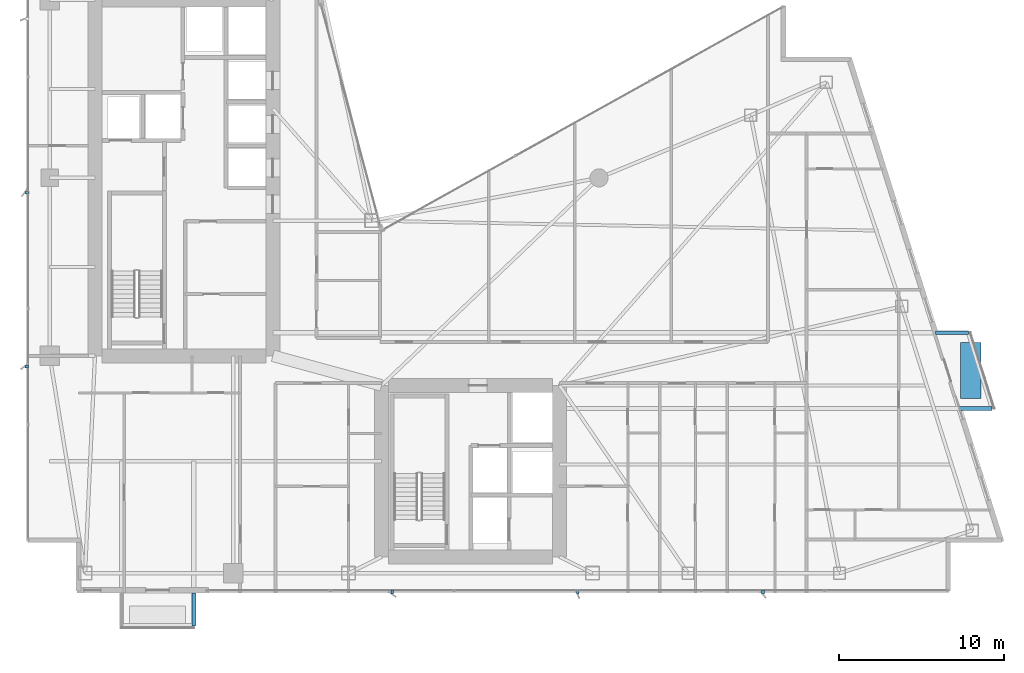
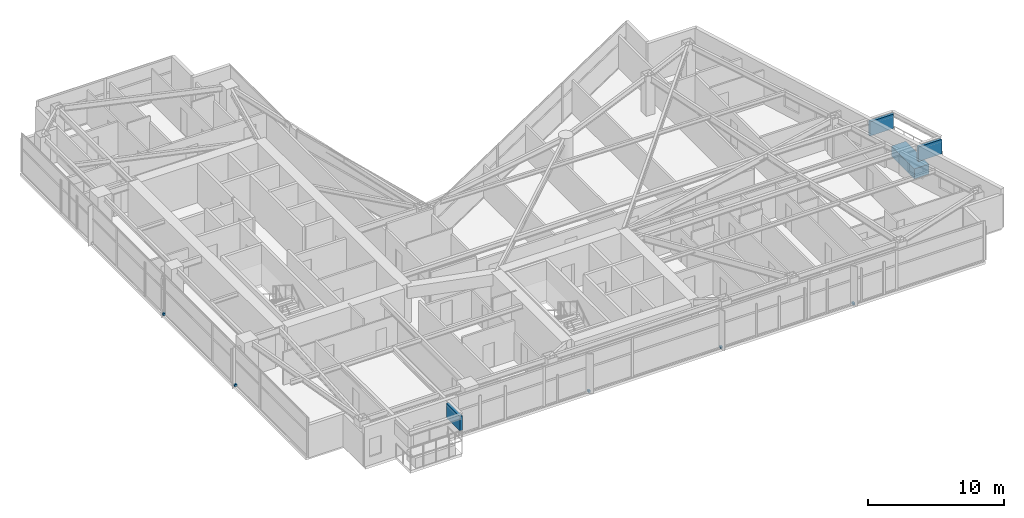
# One storey, part 26 of 29: 9 discrete accessories.
"""IFC4 building model written with IfcOpenShell, lengths in metres."""

from ifc_helpers import new_model, si_unit, direction, frame, origin, origin_2d, place, context, subcontext, project, spatial, rectangle, extrude, material, type_object, element, save


model = new_model("IFC4")

# Units and contexts
model_context = context("Model", 3, precision=1e-05, world=origin(), true_north=direction((0.0, 1.0)))
body_context = subcontext(model_context, "Body", "Model", "MODEL_VIEW")
ifc_project = project(units=[si_unit("LENGTHUNIT", "METRE"), si_unit("AREAUNIT", "SQUARE_METRE"), si_unit("VOLUMEUNIT", "CUBIC_METRE"), si_unit("PLANEANGLEUNIT", "RADIAN"), si_unit("MASSUNIT", "GRAM", prefix="KILO")], contexts=[model_context])

# Site, building, storey
site_placement = place(None, origin())
site = spatial("IfcSite", under=ifc_project, at=site_placement, CompositionType="ELEMENT")
building_placement = place(site_placement, origin())
building = spatial("IfcBuilding", under=site, at=building_placement, Name="Calvorn Quay Hotel", CompositionType="ELEMENT")
storey_placement = place(building_placement, frame((0.0, 0.0, 175.10009765625)))
storey = spatial("IfcBuildingStorey", under=building, at=storey_placement, Name="L43", CompositionType="ELEMENT", Elevation=175.10009765625)

# Discrete accessories
ifc_material_1 = material(Name="Steel Q355B", Category="steel")
discrete_accessory_type_1 = type_object("IfcDiscreteAccessoryType", Name="ACC-BALC-STRUT", PredefinedType="BRACKET", material=ifc_material_1)
for number, where, z_axis, x_axis, name in (
    (1, (57.674072265625, 13.60009765625, 2.0146484375), (0.0, 0.0, 1.0), (1.0, 0.0, 0.0), "Exterior Balcony Steel Bracket L44-BALC-E-A"),
    (2, (56.22509765625, 18.199951171875, 2.0146484375), (0.0, 0.0, 1.0), (1.0, 0.0, 0.0), "Exterior Balcony Steel Bracket L44-BALC-E-B"),
):
    element("IfcDiscreteAccessory", number, at=place(storey_placement, frame(where, z_axis=z_axis, x_axis=x_axis)), inside=storey, type_object=discrete_accessory_type_1, Name=name, PredefinedType="BRACKET", context=body_context, shape_type="SweptSolid", body=[
        extrude(rectangle(XDim=1.989990234375, YDim=0.219970703125, at=origin_2d()), origin(), (0.0, 0.0, 1.0), 1.300048828125),
    ])
discrete_accessory_1_placement = place(storey_placement, frame((10.199951171875, 1.405029296875, 2.0146484375), z_axis=(0.0, 0.0, 1.0), x_axis=(1.0, 0.0, 0.0)))
element("IfcDiscreteAccessory", 3, at=discrete_accessory_1_placement, inside=storey, type_object=discrete_accessory_type_1, Name="Exterior Balcony Steel Bracket L44-BALC-S-B", PredefinedType="BRACKET", context=body_context, shape_type="SweptSolid", body=[
    extrude(rectangle(XDim=0.219970703125, YDim=1.989990234375, at=origin_2d()), origin(), (0.0, 0.0, 1.0), 1.300048828125),
])
ifc_material_2 = material(Name="Steel Q355B", Category="steel")
discrete_accessory_type_2 = type_object("IfcDiscreteAccessoryType", Name="ACC-FIN-BRACKET", PredefinedType="BRACKET", material=ifc_material_2)
for number, where, z_axis, x_axis, name in (
    (4, (0.06005859375, 16.14990234375, 0.02978515625), (0.0, 0.0, 1.0), (1.0, 0.0, 0.0), "Fin Anchor Bracket L43-W01"),
    (5, (0.06005859375, 26.699951171875, 0.02978515625), (0.0, 0.0, 1.0), (1.0, 0.0, 0.0), "Fin Anchor Bracket L43-W02"),
    (6, (22.25, 2.4599609375, 0.02978515625), (0.0, 0.0, 1.0), (0.0, 1.0, 0.0), "Fin Anchor Bracket L43-S01"),
    (7, (33.5, 2.4599609375, 0.02978515625), (0.0, 0.0, 1.0), (0.0, 1.0, 0.0), "Fin Anchor Bracket L43-S02"),
    (8, (44.75, 2.4599609375, 0.02978515625), (0.0, 0.0, 1.0), (0.0, 1.0, 0.0), "Fin Anchor Bracket L43-S03"),
):
    element("IfcDiscreteAccessory", number, at=place(storey_placement, frame(where, z_axis=z_axis, x_axis=x_axis)), inside=storey, type_object=discrete_accessory_type_2, Name=name, PredefinedType="BRACKET", context=body_context, shape_type="SweptSolid", body=[
        extrude(rectangle(XDim=0.239990234375, YDim=0.159912109375, at=origin_2d()), origin(), (0.0, 0.0, 1.0), 0.179931640625),
    ])
ifc_material_3 = material(Name="Precast concrete C40", Category="concrete")
discrete_accessory_type_3 = type_object("IfcDiscreteAccessoryType", Name="ACC-TREE-PLANTER", PredefinedType="USERDEFINED", material=ifc_material_3)
discrete_accessory_2_placement = place(storey_placement, frame((57.364013671875, 15.89990234375, 0.0), z_axis=(0.0, 0.0, 1.0), x_axis=(1.0, 0.0, 0.0)))
element("IfcDiscreteAccessory", 9, at=discrete_accessory_2_placement, inside=storey, type_object=discrete_accessory_type_3, Name="Subtropical Tree Structural Planter L43-BALC-E", ObjectType="PLANTER", PredefinedType="USERDEFINED", context=body_context, shape_type="SweptSolid", body=[
    extrude(rectangle(XDim=1.25, YDim=3.39990234375, at=origin_2d()), origin(), (0.0, 0.0, 1.0), 0.89990234375),
])

save(model, "model.ifc")
